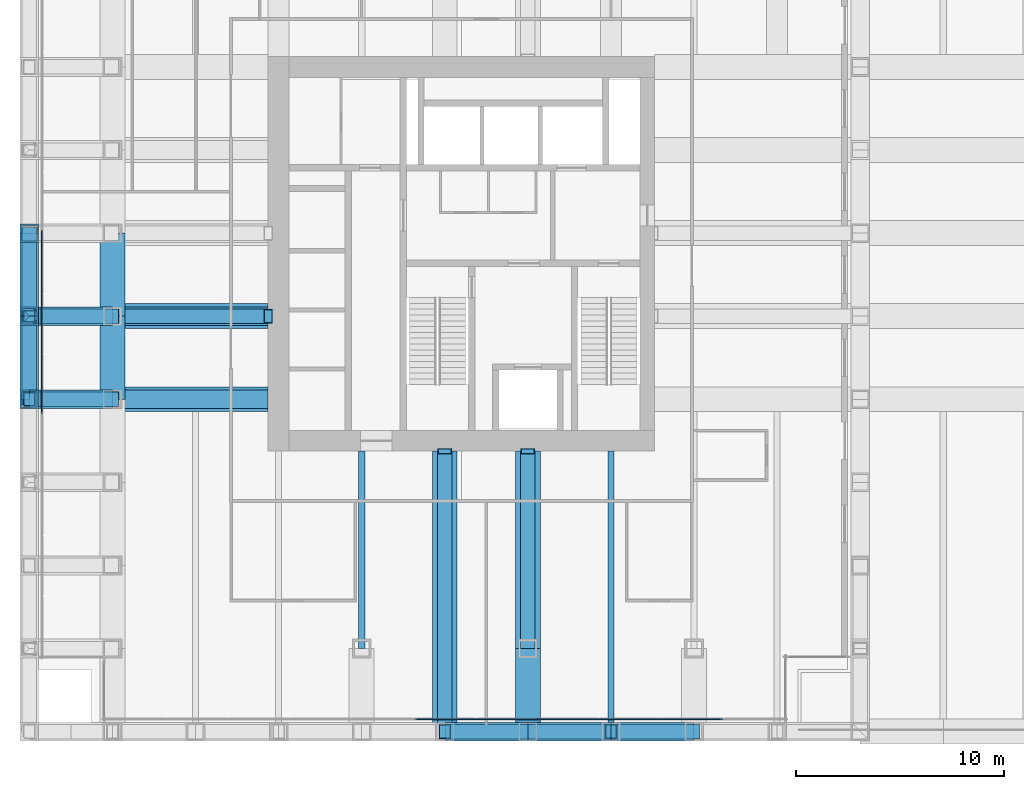
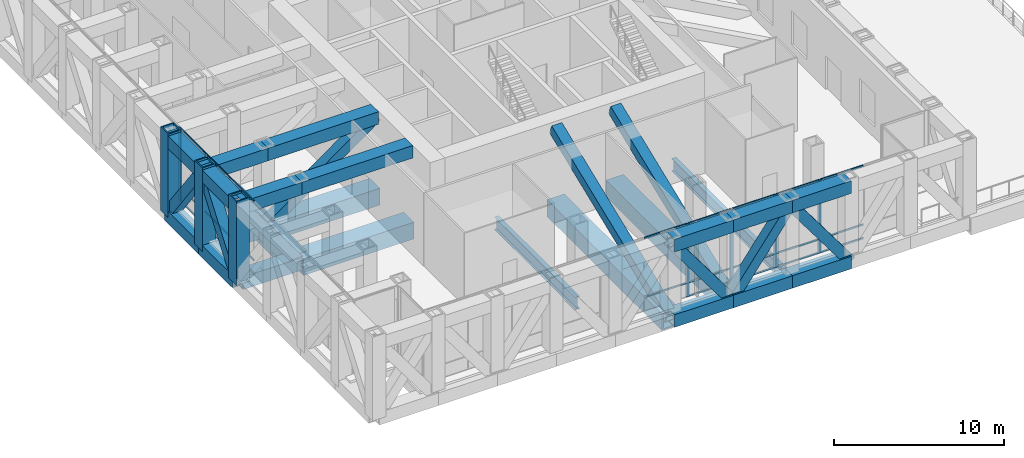
# One storey, part 3 of 13: 43 members, 25 beams, 2 elements without a shape of their own.
"""IFC4 building model written with IfcOpenShell, lengths in metres."""

from ifc_helpers import new_model, si_unit, direction, frame, origin, origin_2d, place, context, subcontext, project, spatial, rectangle, hollow_rectangle, i_section, extrude, material, material_profile, profile_set, type_object, element, aggregate, save


model = new_model("IFC4")

# Units and contexts
model_context = context("Model", 3, precision=1e-05, world=origin(), true_north=direction((0.0, 1.0)))
body_context = subcontext(model_context, "Body", "Model", "MODEL_VIEW")
ifc_project = project(units=[si_unit("LENGTHUNIT", "METRE"), si_unit("AREAUNIT", "SQUARE_METRE"), si_unit("VOLUMEUNIT", "CUBIC_METRE"), si_unit("PLANEANGLEUNIT", "RADIAN"), si_unit("MASSUNIT", "GRAM", prefix="KILO")], contexts=[model_context])

# Site, building, storey
site_placement = place(None, origin())
site = spatial("IfcSite", under=ifc_project, at=site_placement, CompositionType="ELEMENT")
building_placement = place(site_placement, origin())
building = spatial("IfcBuilding", under=site, at=building_placement, Name="Rimbunsela Tower", CompositionType="ELEMENT")
storey_placement = place(building_placement, frame((0.0, 0.0, 137.39990234375)))
storey = spatial("IfcBuildingStorey", under=building, at=storey_placement, Name="L33", CompositionType="ELEMENT", Elevation=137.39990234375)

# Beams
ifc_material_1 = material(Name="Steel BJ 55 (fy 410 MPa)", Category="steel")
ifc_material_profile_1 = material_profile(ifc_material_1, hollow_rectangle(XDim=1.199951171875, YDim=1.199951171875, WallThickness=0.10009765625, at=origin_2d()), Name="BOX 1200x1200x100")
ifc_profile_set_1 = profile_set([ifc_material_profile_1], Name="Steel BJ 55 (fy 410 MPa)")
beam_type_1 = type_object("IfcBeamType", Name="Beam BOX 1200x1200x100", PredefinedType="BEAM", material=ifc_profile_set_1)
beam_1_placement = place(storey_placement, frame((26.0, 4.0, -0.75), z_axis=(0.0, 1.0, 0.0), x_axis=(-1.0, 0.0, 0.0)))
element("IfcBeam", 1, at=beam_1_placement, inside=storey, type_object=beam_type_1, Name="Beam B5 L33", PredefinedType="BEAM", context=body_context, shape_type="SweptSolid", body=[
    extrude(hollow_rectangle(XDim=1.199951171875, YDim=1.199951171875, WallThickness=0.10009765625, at=origin_2d()), origin(), (0.0, 0.0, 1.0), 13.5),
])
beam_2_placement = place(storey_placement, frame((30.0, 8.0, -0.75), z_axis=(0.0, 1.0, 0.0), x_axis=(-1.0, 0.0, 0.0)))
element("IfcBeam", 2, at=beam_2_placement, inside=storey, type_object=beam_type_1, Name="Beam B5 L33", PredefinedType="BEAM", context=body_context, shape_type="SweptSolid", body=[
    extrude(hollow_rectangle(XDim=1.199951171875, YDim=1.199951171875, WallThickness=0.10009765625, at=origin_2d()), origin(), (0.0, 0.0, 1.0), 9.5),
])
ifc_material_2 = material(Name="Steel BJ 55 (fy 410 MPa)", Category="steel")
ifc_material_profile_2 = material_profile(ifc_material_2, hollow_rectangle(XDim=1.199951171875, YDim=1.199951171875, WallThickness=0.125, at=origin_2d()), Name="BOX 1200x1200x125")
ifc_profile_set_2 = profile_set([ifc_material_profile_2], Name="Steel BJ 55 (fy 410 MPa)")
beam_type_2 = type_object("IfcBeamType", Name="Beam BOX 1200x1200x125", PredefinedType="BEAM", material=ifc_profile_set_2)
beam_3_placement = place(storey_placement, frame((10.0, 20.0, -0.75), z_axis=(0.0, 1.0, 0.0), x_axis=(-1.0, 0.0, 0.0)))
element("IfcBeam", 3, at=beam_3_placement, inside=storey, type_object=beam_type_2, Name="Beam B4 L33", PredefinedType="BEAM", context=body_context, shape_type="SweptSolid", body=[
    extrude(hollow_rectangle(XDim=1.199951171875, YDim=1.199951171875, WallThickness=0.125, at=origin_2d()), origin(), (0.0, 0.0, 1.0), 4.0),
])
beam_4_placement = place(storey_placement, frame((10.0, 20.0, -0.75), z_axis=(1.0, 0.0, 0.0), x_axis=(0.0, 1.0, 0.0)))
element("IfcBeam", 4, at=beam_4_placement, inside=storey, type_object=beam_type_2, Name="Beam B4 L33", PredefinedType="BEAM", context=body_context, shape_type="SweptSolid", body=[
    extrude(hollow_rectangle(XDim=1.199951171875, YDim=1.199951171875, WallThickness=0.125, at=origin_2d()), origin(), (0.0, 0.0, 1.0), 7.5),
])
beam_5_placement = place(storey_placement, frame((10.0, 24.0, -0.75), z_axis=(0.0, 1.0, 0.0), x_axis=(-1.0, 0.0, 0.0)))
element("IfcBeam", 5, at=beam_5_placement, inside=storey, type_object=beam_type_2, Name="Beam B4 L33", PredefinedType="BEAM", context=body_context, shape_type="SweptSolid", body=[
    extrude(hollow_rectangle(XDim=1.199951171875, YDim=1.199951171875, WallThickness=0.125, at=origin_2d()), origin(), (0.0, 0.0, 1.0), 4.0),
])
beam_6_placement = place(storey_placement, frame((10.0, 24.0, -0.75), z_axis=(1.0, 0.0, 0.0), x_axis=(0.0, 1.0, 0.0)))
element("IfcBeam", 6, at=beam_6_placement, inside=storey, type_object=beam_type_2, Name="Beam B4 L33", PredefinedType="BEAM", context=body_context, shape_type="SweptSolid", body=[
    extrude(hollow_rectangle(XDim=1.199951171875, YDim=1.199951171875, WallThickness=0.125, at=origin_2d()), origin(), (0.0, 0.0, 1.0), 7.5),
])
beam_7_placement = place(storey_placement, frame((30.0, 4.0, -0.75), z_axis=(0.0, 1.0, 0.0), x_axis=(-1.0, 0.0, 0.0)))
element("IfcBeam", 7, at=beam_7_placement, inside=storey, type_object=beam_type_2, Name="Beam B4 L33", PredefinedType="BEAM", context=body_context, shape_type="SweptSolid", body=[
    extrude(hollow_rectangle(XDim=1.199951171875, YDim=1.199951171875, WallThickness=0.125, at=origin_2d()), origin(), (0.0, 0.0, 1.0), 4.0),
])
ifc_material_3 = material(Name="Steel BJ 55 (fy 410 MPa)", Category="steel")
ifc_material_profile_3 = material_profile(ifc_material_3, i_section(OverallWidth=0.300048828125, OverallDepth=0.89990234375, WebThickness=0.01611328125, FlangeThickness=0.028076171875, FilletRadius=0.028076171875, at=origin_2d()), Name="H 900x300x16x28")
ifc_profile_set_3 = profile_set([ifc_material_profile_3], Name="Steel BJ 55 (fy 410 MPa)")
beam_type_3 = type_object("IfcBeamType", Name="Beam H 900x300x16x28", PredefinedType="BEAM", material=ifc_profile_set_3)
beam_8_placement = place(storey_placement, frame((22.0, 8.0, -0.599853515625), z_axis=(0.0, 1.0, 0.0), x_axis=(-1.0, 0.0, 0.0)))
element("IfcBeam", 8, at=beam_8_placement, inside=storey, type_object=beam_type_3, Name="Beam B2 L33", PredefinedType="BEAM", context=body_context, shape_type="SweptSolid", body=[
    extrude(i_section(OverallWidth=0.300048828125, OverallDepth=0.89990234375, WebThickness=0.01611328125, FlangeThickness=0.028076171875, FilletRadius=0.028076171875, at=origin_2d()), origin(), (0.0, 0.0, 1.0), 9.5),
])
beam_9_placement = place(storey_placement, frame((34.0, 4.0, -0.599853515625), z_axis=(0.0, 1.0, 0.0), x_axis=(-1.0, 0.0, 0.0)))
element("IfcBeam", 9, at=beam_9_placement, inside=storey, type_object=beam_type_3, Name="Beam B2 L33", PredefinedType="BEAM", context=body_context, shape_type="SweptSolid", body=[
    extrude(i_section(OverallWidth=0.300048828125, OverallDepth=0.89990234375, WebThickness=0.01611328125, FlangeThickness=0.028076171875, FilletRadius=0.028076171875, at=origin_2d()), origin(), (0.0, 0.0, 1.0), 13.5),
])

# Curtain wall, members
ifc_material_4 = material(Name="Aluminium curtain wall", Category="aluminium")
curtain_wall_type = type_object("IfcCurtainWallType", Name="Plant floor louvre wall", PredefinedType="USERDEFINED", material=ifc_material_4)
curtain_wall_1_placement = place(storey_placement, origin())
curtain_wall_1 = element("IfcCurtainWall", 10, at=curtain_wall_1_placement, inside=storey, type_object=curtain_wall_type, Name="Plant floor louvre wall L33", ObjectType="PLANT FLOOR LOUVRE WALL", PredefinedType="USERDEFINED")
ifc_material_5 = material(Name="Aluminium mullion", Category="aluminium")
ifc_material_profile_4 = material_profile(ifc_material_5, rectangle(XDim=0.06005859375, YDim=0.25, at=origin_2d()), Name="Mullion 60x250")
ifc_profile_set_4 = profile_set([ifc_material_profile_4], Name="Aluminium mullion")
member_type_1 = type_object("IfcMemberType", Name="Curtain wall mullion 60x250", PredefinedType="MULLION", material=ifc_profile_set_4)
member_1_placement = place(storey_placement, frame((6.60009765625, 28.0, 0.0), z_axis=(0.0, 0.0, 1.0), x_axis=(1.0, 0.0, 0.0)))
member_1 = element("IfcMember", 11, at=member_1_placement, type_object=member_type_1, Name="CW3 mullion 8", PredefinedType="MULLION", context=body_context, shape_type="SweptSolid", body=[
    extrude(rectangle(XDim=0.06005859375, YDim=0.25, at=origin_2d()), origin(), (0.0, 0.0, 1.0), 5.25),
])
member_2_placement = place(storey_placement, frame((6.60009765625, 25.085693359375, 0.0), z_axis=(0.0, 0.0, 1.0), x_axis=(1.0, 0.0, 0.0)))
member_2 = element("IfcMember", 12, at=member_2_placement, type_object=member_type_1, Name="CW3 mullion 9", PredefinedType="MULLION", context=body_context, shape_type="SweptSolid", body=[
    extrude(rectangle(XDim=0.06005859375, YDim=0.25, at=origin_2d()), origin(), (0.0, 0.0, 1.0), 5.25),
])
member_3_placement = place(storey_placement, frame((6.60009765625, 22.17138671875, 0.0), z_axis=(0.0, 0.0, 1.0), x_axis=(1.0, 0.0, 0.0)))
member_3 = element("IfcMember", 13, at=member_3_placement, type_object=member_type_1, Name="CW3 mullion 10", PredefinedType="MULLION", context=body_context, shape_type="SweptSolid", body=[
    extrude(rectangle(XDim=0.06005859375, YDim=0.25, at=origin_2d()), origin(), (0.0, 0.0, 1.0), 5.25),
])

curtain_wall_2_placement = place(storey_placement, origin())
curtain_wall_2 = element("IfcCurtainWall", 14, at=curtain_wall_2_placement, inside=storey, type_object=curtain_wall_type, Name="Plant floor louvre wall L33", ObjectType="PLANT FLOOR LOUVRE WALL", PredefinedType="USERDEFINED")
member_4_placement = place(storey_placement, frame((27.490966796875, 4.60009765625, 0.0), z_axis=(0.0, 0.0, 1.0), x_axis=(0.0, 1.0, 0.0)))
member_4 = element("IfcMember", 15, at=member_4_placement, type_object=member_type_1, Name="CW3 mullion 7", PredefinedType="MULLION", context=body_context, shape_type="SweptSolid", body=[
    extrude(rectangle(XDim=0.06005859375, YDim=0.25, at=origin_2d()), origin(), (0.0, 0.0, 1.0), 5.25),
])
member_5_placement = place(storey_placement, frame((30.47265625, 4.60009765625, 0.0), z_axis=(0.0, 0.0, 1.0), x_axis=(0.0, 1.0, 0.0)))
member_5 = element("IfcMember", 16, at=member_5_placement, type_object=member_type_1, Name="CW3 mullion 8", PredefinedType="MULLION", context=body_context, shape_type="SweptSolid", body=[
    extrude(rectangle(XDim=0.06005859375, YDim=0.25, at=origin_2d()), origin(), (0.0, 0.0, 1.0), 5.25),
])
member_6_placement = place(storey_placement, frame((33.45458984375, 4.60009765625, 0.0), z_axis=(0.0, 0.0, 1.0), x_axis=(0.0, 1.0, 0.0)))
member_6 = element("IfcMember", 17, at=member_6_placement, type_object=member_type_1, Name="CW3 mullion 9", PredefinedType="MULLION", context=body_context, shape_type="SweptSolid", body=[
    extrude(rectangle(XDim=0.06005859375, YDim=0.25, at=origin_2d()), origin(), (0.0, 0.0, 1.0), 5.25),
])
member_7_placement = place(storey_placement, frame((36.436279296875, 4.60009765625, 0.0), z_axis=(0.0, 0.0, 1.0), x_axis=(0.0, 1.0, 0.0)))
member_7 = element("IfcMember", 18, at=member_7_placement, type_object=member_type_1, Name="CW3 mullion 10", PredefinedType="MULLION", context=body_context, shape_type="SweptSolid", body=[
    extrude(rectangle(XDim=0.06005859375, YDim=0.25, at=origin_2d()), origin(), (0.0, 0.0, 1.0), 5.25),
])

# Member
ifc_material_6 = material(Name="Aluminium transom", Category="aluminium")
ifc_material_profile_5 = material_profile(ifc_material_6, rectangle(XDim=0.06005859375, YDim=0.1201171875, at=origin_2d()), Name="Transom 60x120")
ifc_profile_set_5 = profile_set([ifc_material_profile_5], Name="Aluminium transom")
member_type_2 = type_object("IfcMemberType", Name="Curtain wall transom 60x120", PredefinedType="USERDEFINED", material=ifc_profile_set_5)
member_8_placement = place(storey_placement, frame((6.60009765625, 27.969970703125, 0.030029296875), z_axis=(0.0, -1.0, 0.0), x_axis=(1.0, 0.0, 0.0)))
member_8 = element("IfcMember", 19, at=member_8_placement, type_object=member_type_2, Name="CW3 transom 8.1", ObjectType="TRANSOM", PredefinedType="USERDEFINED", context=body_context, shape_type="SweptSolid", body=[
    extrude(rectangle(XDim=0.06005859375, YDim=0.1201171875, at=origin_2d()), origin(), (0.0, 0.0, 1.0), 2.854248046875),
])

member_9_placement = place(storey_placement, frame((6.60009765625, 27.969970703125, 1.0), z_axis=(0.0, -1.0, 0.0), x_axis=(1.0, 0.0, 0.0)))
member_9 = element("IfcMember", 20, at=member_9_placement, type_object=member_type_2, Name="CW3 transom 8.2", ObjectType="TRANSOM", PredefinedType="USERDEFINED", context=body_context, shape_type="SweptSolid", body=[
    extrude(rectangle(XDim=0.06005859375, YDim=0.1201171875, at=origin_2d()), origin(), (0.0, 0.0, 1.0), 2.854248046875),
])

member_10_placement = place(storey_placement, frame((6.60009765625, 27.969970703125, 5.22021484375), z_axis=(0.0, -1.0, 0.0), x_axis=(1.0, 0.0, 0.0)))
member_10 = element("IfcMember", 21, at=member_10_placement, type_object=member_type_2, Name="CW3 transom 8.3", ObjectType="TRANSOM", PredefinedType="USERDEFINED", context=body_context, shape_type="SweptSolid", body=[
    extrude(rectangle(XDim=0.06005859375, YDim=0.1201171875, at=origin_2d()), origin(), (0.0, 0.0, 1.0), 2.854248046875),
])

member_11_placement = place(storey_placement, frame((6.60009765625, 25.0556640625, 0.030029296875), z_axis=(0.0, -1.0, 0.0), x_axis=(1.0, 0.0, 0.0)))
member_11 = element("IfcMember", 22, at=member_11_placement, type_object=member_type_2, Name="CW3 transom 9.1", ObjectType="TRANSOM", PredefinedType="USERDEFINED", context=body_context, shape_type="SweptSolid", body=[
    extrude(rectangle(XDim=0.06005859375, YDim=0.1201171875, at=origin_2d()), origin(), (0.0, 0.0, 1.0), 2.854248046875),
])

member_12_placement = place(storey_placement, frame((6.60009765625, 25.0556640625, 1.0), z_axis=(0.0, -1.0, 0.0), x_axis=(1.0, 0.0, 0.0)))
member_12 = element("IfcMember", 23, at=member_12_placement, type_object=member_type_2, Name="CW3 transom 9.2", ObjectType="TRANSOM", PredefinedType="USERDEFINED", context=body_context, shape_type="SweptSolid", body=[
    extrude(rectangle(XDim=0.06005859375, YDim=0.1201171875, at=origin_2d()), origin(), (0.0, 0.0, 1.0), 2.854248046875),
])

member_13_placement = place(storey_placement, frame((6.60009765625, 25.0556640625, 5.22021484375), z_axis=(0.0, -1.0, 0.0), x_axis=(1.0, 0.0, 0.0)))
member_13 = element("IfcMember", 24, at=member_13_placement, type_object=member_type_2, Name="CW3 transom 9.3", ObjectType="TRANSOM", PredefinedType="USERDEFINED", context=body_context, shape_type="SweptSolid", body=[
    extrude(rectangle(XDim=0.06005859375, YDim=0.1201171875, at=origin_2d()), origin(), (0.0, 0.0, 1.0), 2.854248046875),
])

member_14_placement = place(storey_placement, frame((6.60009765625, 22.141357421875, 0.030029296875), z_axis=(0.0, -1.0, 0.0), x_axis=(1.0, 0.0, 0.0)))
member_14 = element("IfcMember", 25, at=member_14_placement, type_object=member_type_2, Name="CW3 transom 10.1", ObjectType="TRANSOM", PredefinedType="USERDEFINED", context=body_context, shape_type="SweptSolid", body=[
    extrude(rectangle(XDim=0.06005859375, YDim=0.1201171875, at=origin_2d()), origin(), (0.0, 0.0, 1.0), 2.854248046875),
])

member_15_placement = place(storey_placement, frame((6.60009765625, 22.141357421875, 1.0), z_axis=(0.0, -1.0, 0.0), x_axis=(1.0, 0.0, 0.0)))
member_15 = element("IfcMember", 26, at=member_15_placement, type_object=member_type_2, Name="CW3 transom 10.2", ObjectType="TRANSOM", PredefinedType="USERDEFINED", context=body_context, shape_type="SweptSolid", body=[
    extrude(rectangle(XDim=0.06005859375, YDim=0.1201171875, at=origin_2d()), origin(), (0.0, 0.0, 1.0), 2.854248046875),
])

member_16_placement = place(storey_placement, frame((6.60009765625, 22.141357421875, 5.22021484375), z_axis=(0.0, -1.0, 0.0), x_axis=(1.0, 0.0, 0.0)))
member_16 = element("IfcMember", 27, at=member_16_placement, type_object=member_type_2, Name="CW3 transom 10.3", ObjectType="TRANSOM", PredefinedType="USERDEFINED", context=body_context, shape_type="SweptSolid", body=[
    extrude(rectangle(XDim=0.06005859375, YDim=0.1201171875, at=origin_2d()), origin(), (0.0, 0.0, 1.0), 2.854248046875),
])

aggregate(curtain_wall_1, [member_1, member_2, member_3, member_8, member_9, member_10, member_11, member_12, member_13, member_14, member_15, member_16])

member_17_placement = place(storey_placement, frame((24.5390625, 4.60009765625, 1.0), z_axis=(1.0, 0.0, 0.0), x_axis=(0.0, 1.0, 0.0)))
member_17 = element("IfcMember", 28, at=member_17_placement, type_object=member_type_2, Name="CW3 transom 6.2", ObjectType="TRANSOM", PredefinedType="USERDEFINED", context=body_context, shape_type="SweptSolid", body=[
    extrude(rectangle(XDim=0.06005859375, YDim=0.1201171875, at=origin_2d()), origin(), (0.0, 0.0, 1.0), 2.921875),
])

member_18_placement = place(storey_placement, frame((24.5390625, 4.60009765625, 5.22021484375), z_axis=(1.0, 0.0, 0.0), x_axis=(0.0, 1.0, 0.0)))
member_18 = element("IfcMember", 29, at=member_18_placement, type_object=member_type_2, Name="CW3 transom 6.3", ObjectType="TRANSOM", PredefinedType="USERDEFINED", context=body_context, shape_type="SweptSolid", body=[
    extrude(rectangle(XDim=0.06005859375, YDim=0.1201171875, at=origin_2d()), origin(), (0.0, 0.0, 1.0), 2.921875),
])

member_19_placement = place(storey_placement, frame((27.52099609375, 4.60009765625, 0.030029296875), z_axis=(1.0, 0.0, 0.0), x_axis=(0.0, 1.0, 0.0)))
member_19 = element("IfcMember", 30, at=member_19_placement, type_object=member_type_2, Name="CW3 transom 7.1", ObjectType="TRANSOM", PredefinedType="USERDEFINED", context=body_context, shape_type="SweptSolid", body=[
    extrude(rectangle(XDim=0.06005859375, YDim=0.1201171875, at=origin_2d()), origin(), (0.0, 0.0, 1.0), 2.921630859375),
])

member_20_placement = place(storey_placement, frame((27.52099609375, 4.60009765625, 1.0), z_axis=(1.0, 0.0, 0.0), x_axis=(0.0, 1.0, 0.0)))
member_20 = element("IfcMember", 31, at=member_20_placement, type_object=member_type_2, Name="CW3 transom 7.2", ObjectType="TRANSOM", PredefinedType="USERDEFINED", context=body_context, shape_type="SweptSolid", body=[
    extrude(rectangle(XDim=0.06005859375, YDim=0.1201171875, at=origin_2d()), origin(), (0.0, 0.0, 1.0), 2.921630859375),
])

member_21_placement = place(storey_placement, frame((27.52099609375, 4.60009765625, 5.22021484375), z_axis=(1.0, 0.0, 0.0), x_axis=(0.0, 1.0, 0.0)))
member_21 = element("IfcMember", 32, at=member_21_placement, type_object=member_type_2, Name="CW3 transom 7.3", ObjectType="TRANSOM", PredefinedType="USERDEFINED", context=body_context, shape_type="SweptSolid", body=[
    extrude(rectangle(XDim=0.06005859375, YDim=0.1201171875, at=origin_2d()), origin(), (0.0, 0.0, 1.0), 2.921630859375),
])

member_22_placement = place(storey_placement, frame((30.502685546875, 4.60009765625, 0.030029296875), z_axis=(1.0, 0.0, 0.0), x_axis=(0.0, 1.0, 0.0)))
member_22 = element("IfcMember", 33, at=member_22_placement, type_object=member_type_2, Name="CW3 transom 8.1", ObjectType="TRANSOM", PredefinedType="USERDEFINED", context=body_context, shape_type="SweptSolid", body=[
    extrude(rectangle(XDim=0.06005859375, YDim=0.1201171875, at=origin_2d()), origin(), (0.0, 0.0, 1.0), 2.921875),
])

member_23_placement = place(storey_placement, frame((30.502685546875, 4.60009765625, 1.0), z_axis=(1.0, 0.0, 0.0), x_axis=(0.0, 1.0, 0.0)))
member_23 = element("IfcMember", 34, at=member_23_placement, type_object=member_type_2, Name="CW3 transom 8.2", ObjectType="TRANSOM", PredefinedType="USERDEFINED", context=body_context, shape_type="SweptSolid", body=[
    extrude(rectangle(XDim=0.06005859375, YDim=0.1201171875, at=origin_2d()), origin(), (0.0, 0.0, 1.0), 2.921875),
])

member_24_placement = place(storey_placement, frame((30.502685546875, 4.60009765625, 5.22021484375), z_axis=(1.0, 0.0, 0.0), x_axis=(0.0, 1.0, 0.0)))
member_24 = element("IfcMember", 35, at=member_24_placement, type_object=member_type_2, Name="CW3 transom 8.3", ObjectType="TRANSOM", PredefinedType="USERDEFINED", context=body_context, shape_type="SweptSolid", body=[
    extrude(rectangle(XDim=0.06005859375, YDim=0.1201171875, at=origin_2d()), origin(), (0.0, 0.0, 1.0), 2.921875),
])

member_25_placement = place(storey_placement, frame((33.484619140625, 4.60009765625, 0.030029296875), z_axis=(1.0, 0.0, 0.0), x_axis=(0.0, 1.0, 0.0)))
member_25 = element("IfcMember", 36, at=member_25_placement, type_object=member_type_2, Name="CW3 transom 9.1", ObjectType="TRANSOM", PredefinedType="USERDEFINED", context=body_context, shape_type="SweptSolid", body=[
    extrude(rectangle(XDim=0.06005859375, YDim=0.1201171875, at=origin_2d()), origin(), (0.0, 0.0, 1.0), 2.921630859375),
])

member_26_placement = place(storey_placement, frame((33.484619140625, 4.60009765625, 1.0), z_axis=(1.0, 0.0, 0.0), x_axis=(0.0, 1.0, 0.0)))
member_26 = element("IfcMember", 37, at=member_26_placement, type_object=member_type_2, Name="CW3 transom 9.2", ObjectType="TRANSOM", PredefinedType="USERDEFINED", context=body_context, shape_type="SweptSolid", body=[
    extrude(rectangle(XDim=0.06005859375, YDim=0.1201171875, at=origin_2d()), origin(), (0.0, 0.0, 1.0), 2.921630859375),
])

member_27_placement = place(storey_placement, frame((33.484619140625, 4.60009765625, 5.22021484375), z_axis=(1.0, 0.0, 0.0), x_axis=(0.0, 1.0, 0.0)))
member_27 = element("IfcMember", 38, at=member_27_placement, type_object=member_type_2, Name="CW3 transom 9.3", ObjectType="TRANSOM", PredefinedType="USERDEFINED", context=body_context, shape_type="SweptSolid", body=[
    extrude(rectangle(XDim=0.06005859375, YDim=0.1201171875, at=origin_2d()), origin(), (0.0, 0.0, 1.0), 2.921630859375),
])

member_28_placement = place(storey_placement, frame((36.46630859375, 4.60009765625, 0.030029296875), z_axis=(1.0, 0.0, 0.0), x_axis=(0.0, 1.0, 0.0)))
member_28 = element("IfcMember", 39, at=member_28_placement, type_object=member_type_2, Name="CW3 transom 10.1", ObjectType="TRANSOM", PredefinedType="USERDEFINED", context=body_context, shape_type="SweptSolid", body=[
    extrude(rectangle(XDim=0.06005859375, YDim=0.1201171875, at=origin_2d()), origin(), (0.0, 0.0, 1.0), 2.921875),
])

member_29_placement = place(storey_placement, frame((36.46630859375, 4.60009765625, 1.0), z_axis=(1.0, 0.0, 0.0), x_axis=(0.0, 1.0, 0.0)))
member_29 = element("IfcMember", 40, at=member_29_placement, type_object=member_type_2, Name="CW3 transom 10.2", ObjectType="TRANSOM", PredefinedType="USERDEFINED", context=body_context, shape_type="SweptSolid", body=[
    extrude(rectangle(XDim=0.06005859375, YDim=0.1201171875, at=origin_2d()), origin(), (0.0, 0.0, 1.0), 2.921875),
])

member_30_placement = place(storey_placement, frame((36.46630859375, 4.60009765625, 5.22021484375), z_axis=(1.0, 0.0, 0.0), x_axis=(0.0, 1.0, 0.0)))
member_30 = element("IfcMember", 41, at=member_30_placement, type_object=member_type_2, Name="CW3 transom 10.3", ObjectType="TRANSOM", PredefinedType="USERDEFINED", context=body_context, shape_type="SweptSolid", body=[
    extrude(rectangle(XDim=0.06005859375, YDim=0.1201171875, at=origin_2d()), origin(), (0.0, 0.0, 1.0), 2.921875),
])

aggregate(curtain_wall_2, [member_4, member_5, member_6, member_7, member_17, member_18, member_19, member_20, member_21, member_22, member_23, member_24, member_25, member_26, member_27, member_28, member_29, member_30])

# Members
ifc_material_7 = material(Name="Steel BJ 55 (fy 410 MPa)", Category="steel")
ifc_material_profile_6 = material_profile(ifc_material_7, hollow_rectangle(XDim=0.699951171875, YDim=0.699951171875, WallThickness=0.050048828125, at=origin_2d()), Name="BOX 700x700x50")
ifc_profile_set_6 = profile_set([ifc_material_profile_6], Name="Steel BJ 55 (fy 410 MPa)")
member_type_3 = type_object("IfcMemberType", Name="Outrigger brace BOX 700x700x50", PredefinedType="BRACE", material=ifc_profile_set_6)
for number, where, z_axis, x_axis, name in (
    (42, (26.0, 4.0, -0.599853515625), (0.0, 0.928479006877, 0.371384886323), (-1.0, 0.0, 0.0), "Outrigger brace OB2 S L33"),
    (43, (30.0, 4.0, -0.599853515625), (0.0, 0.928479006877, 0.371384886323), (-1.0, 0.0, 0.0), "Outrigger brace OB2 S L33"),
):
    element("IfcMember", number, at=place(storey_placement, frame(where, z_axis=z_axis, x_axis=x_axis)), inside=storey, type_object=member_type_3, Name=name, PredefinedType="BRACE", context=body_context, shape_type="SweptSolid", body=[
        extrude(hollow_rectangle(XDim=0.699951171875, YDim=0.699951171875, WallThickness=0.050048828125, at=origin_2d()), origin(), (0.0, 0.0, 1.0), 14.539794921875),
    ])
member_31_placement = place(storey_placement, frame((10.0, 24.0, -0.599853515625), z_axis=(0.811539352079, 0.0, 0.584297766578), x_axis=(0.0, 1.0, 0.0)))
element("IfcMember", 44, at=member_31_placement, inside=storey, type_object=member_type_3, Name="Outrigger brace OB2 W L33", PredefinedType="BRACE", context=body_context, shape_type="SweptSolid", body=[
    extrude(hollow_rectangle(XDim=0.699951171875, YDim=0.699951171875, WallThickness=0.050048828125, at=origin_2d()), origin(), (0.0, 0.0, 1.0), 9.24169921875),
])

# Beams
ifc_material_8 = material(Name="Steel BJ 55 (fy 410 MPa)", Category="steel")
ifc_material_profile_7 = material_profile(ifc_material_8, hollow_rectangle(XDim=0.89990234375, YDim=0.89990234375, WallThickness=0.080078125, at=origin_2d()), Name="BOX 900x900x80")
ifc_profile_set_7 = profile_set([ifc_material_profile_7], Name="Steel BJ 55 (fy 410 MPa)")
beam_type_4 = type_object("IfcBeamType", Name="Truss chord BOX 900x900x80", PredefinedType="USERDEFINED", material=ifc_profile_set_7)
for number, where, z_axis, x_axis, name in (
    (45, (26.0, 4.0, 4.800048828125), (1.0, 0.0, 0.0), (0.0, 1.0, 0.0), "Truss top chord TC3 S face L33"),
    (46, (30.0, 4.0, 4.800048828125), (1.0, 0.0, 0.0), (0.0, 1.0, 0.0), "Truss top chord TC3 S face L33"),
    (47, (34.0, 4.0, 4.800048828125), (1.0, 0.0, 0.0), (0.0, 1.0, 0.0), "Truss top chord TC3 S face L33"),
    (48, (6.0, 20.0, 4.800048828125), (0.0, 1.0, 0.0), (-1.0, 0.0, 0.0), "Truss top chord TC3 W face L33"),
    (49, (6.0, 24.0, 4.800048828125), (0.0, 1.0, 0.0), (-1.0, 0.0, 0.0), "Truss top chord TC3 W face L33"),
    (50, (26.0, 4.0, -0.599853515625), (1.0, 0.0, 0.0), (0.0, 1.0, 0.0), "Truss bottom chord TC3 S face L33"),
    (51, (30.0, 4.0, -0.599853515625), (1.0, 0.0, 0.0), (0.0, 1.0, 0.0), "Truss bottom chord TC3 S face L33"),
    (52, (34.0, 4.0, -0.599853515625), (1.0, 0.0, 0.0), (0.0, 1.0, 0.0), "Truss bottom chord TC3 S face L33"),
    (53, (10.0, 20.0, -0.599853515625), (-1.0, 0.0, 0.0), (0.0, -1.0, 0.0), "Cantilever truss bottom chord TC3 4/G L33"),
):
    element("IfcBeam", number, at=place(storey_placement, frame(where, z_axis=z_axis, x_axis=x_axis)), inside=storey, type_object=beam_type_4, Name=name, ObjectType="TRUSS CHORD", PredefinedType="USERDEFINED", context=body_context, shape_type="SweptSolid", body=[
        extrude(hollow_rectangle(XDim=0.89990234375, YDim=0.89990234375, WallThickness=0.080078125, at=origin_2d()), origin(), (0.0, 0.0, 1.0), 4.0),
    ])
beam_10_placement = place(storey_placement, frame((17.5, 20.0, 4.800048828125), z_axis=(-1.0, 0.0, 0.0), x_axis=(0.0, -1.0, 0.0)))
element("IfcBeam", 54, at=beam_10_placement, inside=storey, type_object=beam_type_4, Name="Cantilever truss top chord TC3 4/G L33", ObjectType="TRUSS CHORD", PredefinedType="USERDEFINED", context=body_context, shape_type="SweptSolid", body=[
    extrude(hollow_rectangle(XDim=0.89990234375, YDim=0.89990234375, WallThickness=0.080078125, at=origin_2d()), origin(), (0.0, 0.0, 1.0), 7.5),
])
for number, where, z_axis, x_axis, name in (
    (55, (10.0, 20.0, 4.800048828125), (-1.0, 0.0, 0.0), (0.0, -1.0, 0.0), "Cantilever truss top chord TC3 4/G L33"),
    (56, (10.0, 24.0, -0.599853515625), (-1.0, 0.0, 0.0), (0.0, -1.0, 0.0), "Cantilever truss bottom chord TC3 4/H L33"),
):
    element("IfcBeam", number, at=place(storey_placement, frame(where, z_axis=z_axis, x_axis=x_axis)), inside=storey, type_object=beam_type_4, Name=name, ObjectType="TRUSS CHORD", PredefinedType="USERDEFINED", context=body_context, shape_type="SweptSolid", body=[
        extrude(hollow_rectangle(XDim=0.89990234375, YDim=0.89990234375, WallThickness=0.080078125, at=origin_2d()), origin(), (0.0, 0.0, 1.0), 4.0),
    ])
beam_11_placement = place(storey_placement, frame((17.5, 24.0, 4.800048828125), z_axis=(-1.0, 0.0, 0.0), x_axis=(0.0, -1.0, 0.0)))
element("IfcBeam", 57, at=beam_11_placement, inside=storey, type_object=beam_type_4, Name="Cantilever truss top chord TC3 4/H L33", ObjectType="TRUSS CHORD", PredefinedType="USERDEFINED", context=body_context, shape_type="SweptSolid", body=[
    extrude(hollow_rectangle(XDim=0.89990234375, YDim=0.89990234375, WallThickness=0.080078125, at=origin_2d()), origin(), (0.0, 0.0, 1.0), 7.5),
])
for number, where, z_axis, x_axis, name in (
    (58, (10.0, 24.0, 4.800048828125), (-1.0, 0.0, 0.0), (0.0, -1.0, 0.0), "Cantilever truss top chord TC3 4/H L33"),
    (59, (6.0, 20.0, -0.599853515625), (0.0, 1.0, 0.0), (-1.0, 0.0, 0.0), "Truss bottom chord TC3 W face L33"),
    (60, (6.0, 24.0, -0.599853515625), (0.0, 1.0, 0.0), (-1.0, 0.0, 0.0), "Truss bottom chord TC3 W face L33"),
):
    element("IfcBeam", number, at=place(storey_placement, frame(where, z_axis=z_axis, x_axis=x_axis)), inside=storey, type_object=beam_type_4, Name=name, ObjectType="TRUSS CHORD", PredefinedType="USERDEFINED", context=body_context, shape_type="SweptSolid", body=[
        extrude(hollow_rectangle(XDim=0.89990234375, YDim=0.89990234375, WallThickness=0.080078125, at=origin_2d()), origin(), (0.0, 0.0, 1.0), 4.0),
    ])

# Members
ifc_material_9 = material(Name="Steel BJ 55 (fy 410 MPa)", Category="steel")
ifc_material_profile_8 = material_profile(ifc_material_9, hollow_rectangle(XDim=0.699951171875, YDim=0.699951171875, WallThickness=0.0400390625, at=origin_2d()), Name="BOX 700x700x40")
ifc_profile_set_8 = profile_set([ifc_material_profile_8], Name="Steel BJ 55 (fy 410 MPa)")
member_type_4 = type_object("IfcMemberType", Name="Truss diagonal BOX 700x700x40", PredefinedType="BRACE", material=ifc_profile_set_8)
for number, where, z_axis, x_axis, name in (
    (61, (26.0, 4.0, 4.800048828125), (0.595234501294, 0.0, -0.803552044655), (0.0, 1.0, 0.0), "Truss diagonal TD3 S face L33"),
    (62, (30.0, 4.0, -0.599853515625), (0.595234501294, 0.0, 0.803552044655), (0.0, 1.0, 0.0), "Truss diagonal TD3 S face L33"),
    (63, (34.0, 4.0, 4.800048828125), (0.595234501294, 0.0, -0.803552044655), (0.0, 1.0, 0.0), "Truss diagonal TD3 S face L33"),
    (64, (6.0, 20.0, -0.599853515625), (0.0, 0.595234501294, 0.803552044655), (-1.0, 0.0, 0.0), "Truss diagonal TD3 W face L33"),
    (65, (6.0, 24.0, 4.800048828125), (0.0, 0.595234501294, -0.803552044655), (-1.0, 0.0, 0.0), "Truss diagonal TD3 W face L33"),
    (66, (10.0, 20.0, -0.599853515625), (-0.595234501294, 0.0, 0.803552044655), (0.0, -1.0, 0.0), "Cantilever truss diagonal TD3 4/G L33"),
    (67, (10.0, 24.0, -0.599853515625), (-0.595234501294, 0.0, 0.803552044655), (0.0, -1.0, 0.0), "Cantilever truss diagonal TD3 4/H L33"),
):
    element("IfcMember", number, at=place(storey_placement, frame(where, z_axis=z_axis, x_axis=x_axis)), inside=storey, type_object=member_type_4, Name=name, PredefinedType="BRACE", context=body_context, shape_type="SweptSolid", body=[
        extrude(hollow_rectangle(XDim=0.699951171875, YDim=0.699951171875, WallThickness=0.0400390625, at=origin_2d()), origin(), (0.0, 0.0, 1.0), 6.719970703125),
    ])
ifc_material_10 = material(Name="Steel BJ 55 (fy 410 MPa)", Category="steel")
ifc_material_profile_9 = material_profile(ifc_material_10, hollow_rectangle(XDim=0.89990234375, YDim=0.89990234375, WallThickness=0.080078125, at=origin_2d()), Name="BOX 900x900x80")
ifc_profile_set_9 = profile_set([ifc_material_profile_9], Name="Steel BJ 55 (fy 410 MPa)")
member_type_5 = type_object("IfcMemberType", Name="Truss post BOX 900x900x80", PredefinedType="POST", material=ifc_profile_set_9)
for number, where, z_axis, x_axis, name in (
    (68, (6.0, 20.0, -0.599853515625), (0.0, 0.0, 1.0), (1.0, 0.0, 0.0), "Truss post TP3 4/G L33"),
    (69, (6.0, 24.0, -0.599853515625), (0.0, 0.0, 1.0), (1.0, 0.0, 0.0), "Truss post TP3 4/H L33"),
    (70, (6.0, 28.0, -0.599853515625), (0.0, 0.0, 1.0), (1.0, 0.0, 0.0), "Truss post TP3 4/J L33"),
):
    element("IfcMember", number, at=place(storey_placement, frame(where, z_axis=z_axis, x_axis=x_axis)), inside=storey, type_object=member_type_5, Name=name, PredefinedType="POST", context=body_context, shape_type="SweptSolid", body=[
        extrude(hollow_rectangle(XDim=0.89990234375, YDim=0.89990234375, WallThickness=0.080078125, at=origin_2d()), origin(), (0.0, 0.0, 1.0), 6.0),
    ])

save(model, "model.ifc")
